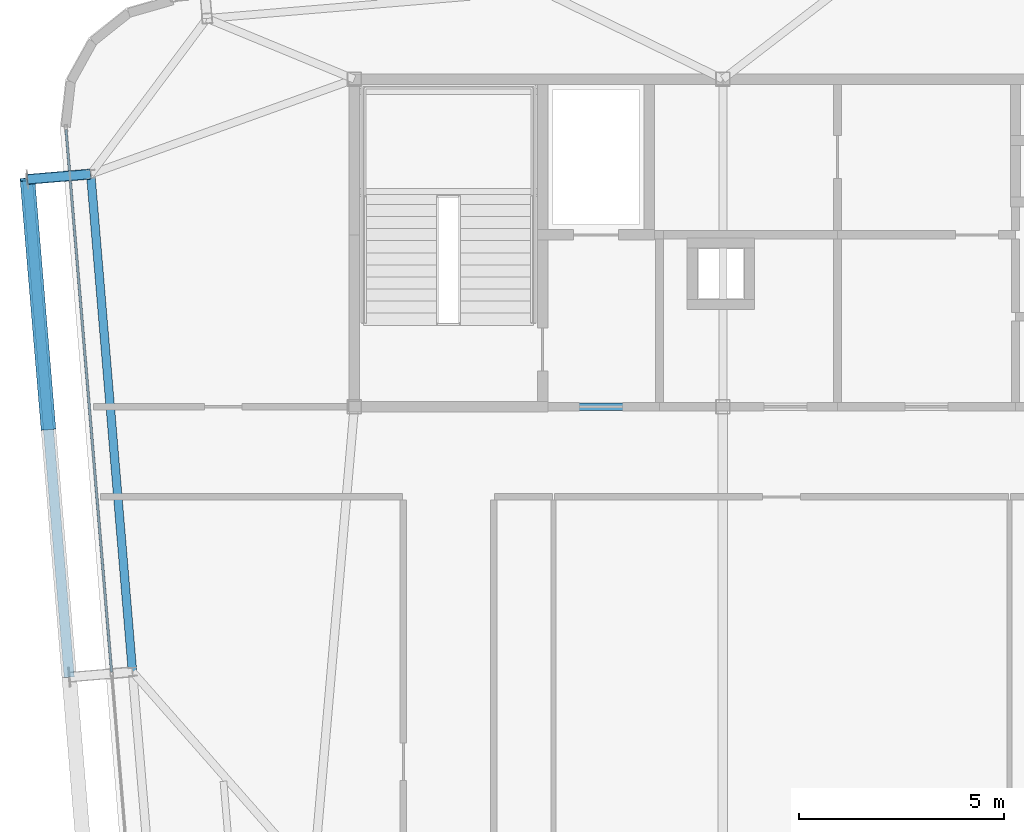
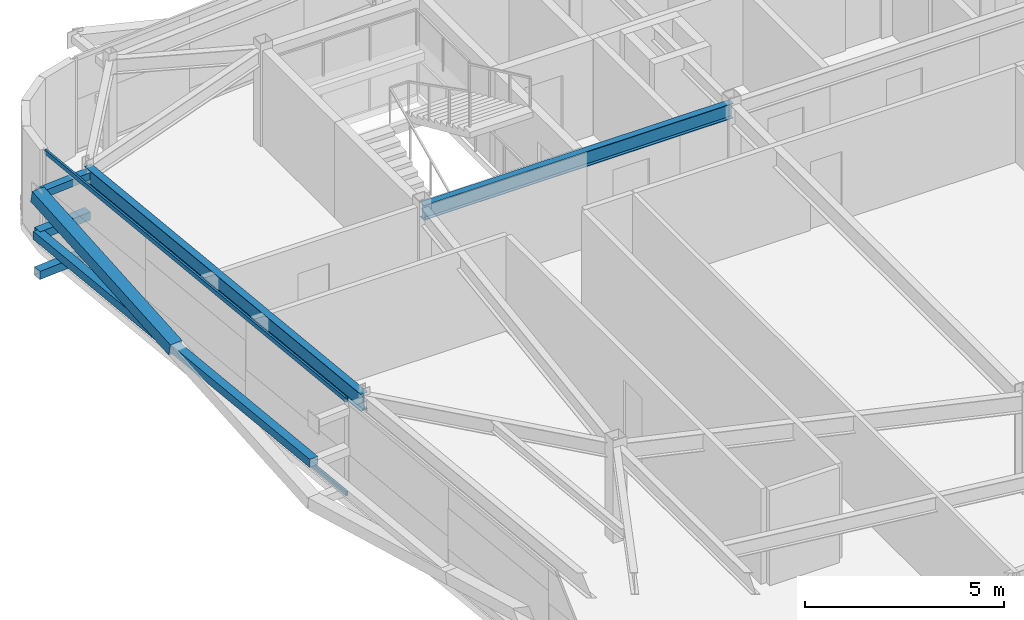
# One storey, part 13 of 37: 7 members, 2 beams, 1 element without a shape of its own.
"""IFC4 building model written with IfcOpenShell, lengths in metres."""

from ifc_helpers import new_model, si_unit, direction, frame, origin, origin_2d, place, context, subcontext, project, spatial, hollow_rectangle, i_section, extrude, source, transform, mapped, material, layer, layer_set, material_profile, profile_set, type_object, element, aggregate, save


model = new_model("IFC4")

# Units and contexts
model_context = context("Model", 3, precision=1e-05, world=origin(), true_north=direction((0.0, 1.0)))
body_context = subcontext(model_context, "Body", "Model", "MODEL_VIEW")
ifc_project = project(units=[si_unit("LENGTHUNIT", "METRE"), si_unit("AREAUNIT", "SQUARE_METRE"), si_unit("VOLUMEUNIT", "CUBIC_METRE"), si_unit("PLANEANGLEUNIT", "RADIAN"), si_unit("MASSUNIT", "GRAM", prefix="KILO")], contexts=[model_context])

# Site, building, storey
site_placement = place(None, origin())
site = spatial("IfcSite", under=ifc_project, at=site_placement, CompositionType="ELEMENT")
building_placement = place(site_placement, origin())
building = spatial("IfcBuilding", under=site, at=building_placement, Name="Taldren Reach Tower", CompositionType="ELEMENT")
storey_placement = place(building_placement, frame((0.0, 0.0, 200.89990234375)))
storey = spatial("IfcBuildingStorey", under=building, at=storey_placement, Name="L61", CompositionType="ELEMENT", Elevation=200.89990234375)

# Beams
ifc_material_1 = material(Name="Steel Gr 350 (350PLUS)", Category="steel")
ifc_material_profile_1 = material_profile(ifc_material_1, i_section(OverallWidth=0.19091796875, OverallDepth=0.4599609375, WebThickness=0.010009765625, FlangeThickness=0.01611328125, at=origin_2d()), Name="460UB82.1")
ifc_profile_set_1 = profile_set([ifc_material_profile_1], Name="Steel Gr 350 (350PLUS)")
beam_type_1 = type_object("IfcBeamType", Name="BM-UB460A", PredefinedType="BEAM", material=ifc_profile_set_1)
shared_shape_1 = source(origin(), body_context, "Body", "SweptSolid", [
    extrude(i_section(OverallWidth=0.19091796875, OverallDepth=0.4599609375, WebThickness=0.010009765625, FlangeThickness=0.01611328125, at=origin_2d()), origin(), (0.0, 0.0, 1.0), 9.0),
])
beam_1_placement = place(storey_placement, frame((19.0, 24.0, 2.7001953125), z_axis=(1.0, 0.0, 0.0), x_axis=(0.0, 1.0, 0.0)))
element("IfcBeam", 1, at=beam_1_placement, inside=storey, type_object=beam_type_1, Name="Core-spine girder L61-SP01", PredefinedType="BEAM", context=body_context, shape_type="MappedRepresentation", body=[
    mapped(shared_shape_1, transform((0.0, 0.0, 0.0), scale=1.0)),
])
ifc_material_profile_2 = material_profile(ifc_material_1, i_section(OverallWidth=0.208984375, OverallDepth=0.528076171875, WebThickness=0.009521484375, FlangeThickness=0.01318359375, at=origin_2d()), Name="530UB82.0")
ifc_profile_set_2 = profile_set([ifc_material_profile_2], Name="Steel Gr 350 (350PLUS)")
beam_type_2 = type_object("IfcBeamType", Name="SP-UB530B", PredefinedType="SPANDREL", material=ifc_profile_set_2)
shared_shape_2 = source(origin(), body_context, "Body", "SweptSolid", [
    extrude(i_section(OverallWidth=0.208984375, OverallDepth=0.528076171875, WebThickness=0.009521484375, FlangeThickness=0.01318359375, at=origin_2d()), origin(), (0.0, 0.0, 1.0), 12.199951171875),
])
beam_2_placement = place(storey_placement, frame((12.56201171875, 29.682373046875, 2.666015625), z_axis=(0.083668166953, -0.99649367175, 0.0), x_axis=(0.99649367175, 0.083668166953, 0.0)))
element("IfcBeam", 2, at=beam_2_placement, inside=storey, type_object=beam_type_2, Name="Perimeter spandrel B4 W3-W2 L61", PredefinedType="SPANDREL", context=body_context, shape_type="MappedRepresentation", body=[
    mapped(shared_shape_2, transform((0.0, 0.0, 0.0), scale=1.0)),
])

# Members
ifc_material_2 = material(Name="Steel Gr 450 (C450L0)", Category="steel")
ifc_material_profile_3 = material_profile(ifc_material_2, hollow_rectangle(XDim=0.219970703125, YDim=0.219970703125, WallThickness=0.00830078125, at=origin_2d()), Name="220x220x8.2SHS")
ifc_profile_set_3 = profile_set([ifc_material_profile_3], Name="Steel Gr 450 (C450L0)")
member_type_1 = type_object("IfcMemberType", Name="MB-TIE219", PredefinedType="STRUT", material=ifc_profile_set_3)
shared_shape_3 = source(origin(), body_context, "Body", "SweptSolid", [
    extrude(hollow_rectangle(XDim=0.219970703125, YDim=0.219970703125, WallThickness=0.00830078125, at=origin_2d()), origin(), (0.0, 0.0, 1.0), 1.54541015625),
])
member_1_placement = place(storey_placement, frame((12.557373046875, 29.68212890625, 2.650146484375), z_axis=(-0.99648887425, -0.083725285883, 0.0), x_axis=(0.083725285883, -0.99648887425, 0.0)))
element("IfcMember", 3, at=member_1_placement, inside=storey, type_object=member_type_1, Name="Exoskeleton diaphragm tie strut B4-W3 L61", PredefinedType="STRUT", context=body_context, shape_type="MappedRepresentation", body=[
    mapped(shared_shape_3, transform((0.0, 0.0, 0.0), scale=1.0)),
])
ifc_material_3 = material(Name="Steel Gr 350 (C350L0)", Category="steel")
ifc_material_profile_4 = material_profile(ifc_material_3, hollow_rectangle(XDim=0.25, YDim=0.25, WallThickness=0.010009765625, at=origin_2d()), Name="250x250x10.0SHS")
ifc_profile_set_4 = profile_set([ifc_material_profile_4], Name="Steel Gr 350 (C350L0)")
member_type_2 = type_object("IfcMemberType", Name="MB-POST250", PredefinedType="POST", material=ifc_profile_set_4)
shared_shape_4 = source(origin(), body_context, "Body", "SweptSolid", [
    extrude(hollow_rectangle(XDim=0.25, YDim=0.25, WallThickness=0.010009765625, at=origin_2d()), origin(), (0.0, 0.0, 1.0), 12.199951171875),
])
member_2_placement = place(storey_placement, frame((12.0380859375, 17.3955078125, 1.43505859375), z_axis=(-0.083668166953, 0.99649367175, 0.0), x_axis=(-0.99649367175, -0.083668166953, 0.0)))
element("IfcMember", 4, at=member_2_placement, inside=storey, type_object=member_type_2, Name="Exoskeleton mid-height ring chord B4-W2 L61", PredefinedType="POST", context=body_context, shape_type="MappedRepresentation", body=[
    mapped(shared_shape_4, transform((0.0, 0.0, 0.0), scale=1.0)),
])
shared_shape_5 = source(origin(), body_context, "Body", "SweptSolid", [
    extrude(hollow_rectangle(XDim=0.25, YDim=0.25, WallThickness=0.010009765625, at=origin_2d()), origin(), (0.0, 0.0, 1.0), 1.54541015625),
])
for number, where, z_axis, x_axis, name in (
    (5, (12.557373046875, 29.68212890625, 0.22021484375), (-0.99648887425, -0.083725285883, 0.0), (0.083725285883, -0.99648887425, 0.0), "Exoskeleton base diaphragm tie strut B4-W3 L61"),
    (6, (12.557373046875, 29.68212890625, 1.43505859375), (-0.99648887425, -0.083725285883, 0.0), (0.083725285883, -0.99648887425, 0.0), "Exoskeleton mid-tier diaphragm tie B4-W3 L61"),
):
    element("IfcMember", number, at=place(storey_placement, frame(where, z_axis=z_axis, x_axis=x_axis)), inside=storey, type_object=member_type_2, Name=name, PredefinedType="POST", context=body_context, shape_type="MappedRepresentation", body=[
        mapped(shared_shape_5, transform((0.0, 0.0, 0.0), scale=1.0)),
    ])
ifc_material_profile_5 = material_profile(ifc_material_2, hollow_rectangle(XDim=0.360107421875, YDim=0.360107421875, WallThickness=0.0126953125, at=origin_2d()), Name="360x360x12.7SHS")
ifc_profile_set_5 = profile_set([ifc_material_profile_5], Name="Steel Gr 450 (C450L0)")
member_type_3 = type_object("IfcMemberType", Name="MB-EXO356", PredefinedType="BRACE", material=ifc_profile_set_5)
shared_shape_6 = source(origin(), body_context, "Body", "SweptSolid", [
    extrude(hollow_rectangle(XDim=0.360107421875, YDim=0.360107421875, WallThickness=0.0126953125, at=origin_2d()), origin(), (0.0, 0.0, 1.0), 6.219970703125),
])
member_3_placement = place(storey_placement, frame((11.52783203125, 23.47412109375, 1.43505859375), z_axis=(-0.082075564879, 0.977291924611, 0.195356330179), x_axis=(-0.996492003099, -0.083688038336, 0.0)))
element("IfcMember", 7, at=member_3_placement, inside=storey, type_object=member_type_3, Name="Exoskeleton Diagrid Brace B4-W2 L61", PredefinedType="BRACE", context=body_context, shape_type="MappedRepresentation", body=[
    mapped(shared_shape_6, transform((0.0, 0.0, 0.0), scale=1.0)),
])

# Curtain wall, members
ifc_material_4 = material(Name="Aluminium and Low-E Glass Unitised System", Category="aluminium")
ifc_layer = layer(ifc_material_4, 0.159912109375)
ifc_layer_set = layer_set([ifc_layer], Name="Aluminium and Low-E Glass Unitised System")
curtain_wall_type = type_object("IfcCurtainWallType", Name="CW-SYS-5", PredefinedType="NOTDEFINED", material=ifc_layer_set)
curtain_wall_placement = place(storey_placement, origin())
curtain_wall = element("IfcCurtainWall", 8, at=curtain_wall_placement, inside=storey, type_object=curtain_wall_type, Name="Unitised curtain wall CW-L61-W", PredefinedType="NOTDEFINED")
ifc_material_5 = material(Name="Anodised Aluminium 6063-T6", Category="aluminium")
ifc_material_profile_6 = material_profile(ifc_material_5, hollow_rectangle(XDim=0.06005859375, YDim=0.135009765625, WallThickness=0.00341796875, at=origin_2d()), Name="ALU-135x60x3.5RHS")
ifc_profile_set_6 = profile_set([ifc_material_profile_6], Name="Anodised Aluminium 6063-T6")
member_type_4 = type_object("IfcMemberType", Name="CW-TRN-150", PredefinedType="USERDEFINED", material=ifc_profile_set_6)
shared_shape_7 = source(origin(), body_context, "Body", "SweptSolid", [
    extrude(hollow_rectangle(XDim=0.06005859375, YDim=0.135009765625, WallThickness=0.00341796875, at=origin_2d()), origin(), (0.0, 0.0, 1.0), 13.295166015625),
])
member_4_placement = place(storey_placement, frame((11.959228515625, 30.765869140625, 0.030029296875), z_axis=(0.083662465438, -0.996494150448, 0.0), x_axis=(0.996494150448, 0.083662465438, 0.0)))
member_4 = element("IfcMember", 9, at=member_4_placement, type_object=member_type_4, Name="CW-5 transom 1.1", ObjectType="TRANSOM", PredefinedType="USERDEFINED", context=body_context, shape_type="MappedRepresentation", body=[
    mapped(shared_shape_7, transform((0.0, 0.0, 0.0), scale=1.0)),
])
member_5_placement = place(storey_placement, frame((11.959228515625, 30.765869140625, 2.900146484375), z_axis=(0.083662465438, -0.996494150448, 0.0), x_axis=(0.996494150448, 0.083662465438, 0.0)))
member_5 = element("IfcMember", 10, at=member_5_placement, type_object=member_type_4, Name="CW-5 transom 1.2", ObjectType="TRANSOM", PredefinedType="USERDEFINED", context=body_context, shape_type="MappedRepresentation", body=[
    mapped(shared_shape_7, transform((0.0, 0.0, 0.0), scale=1.0)),
])
aggregate(curtain_wall, [member_4, member_5])

save(model, "model.ifc")
